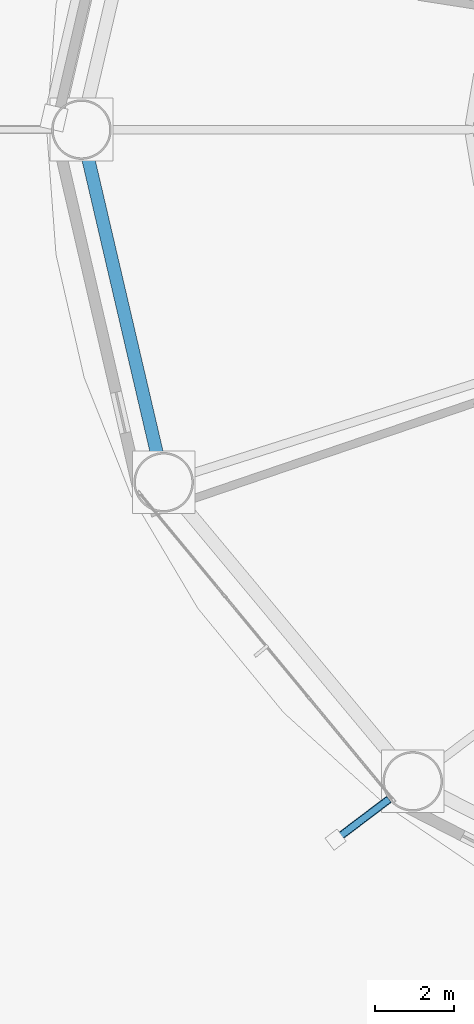
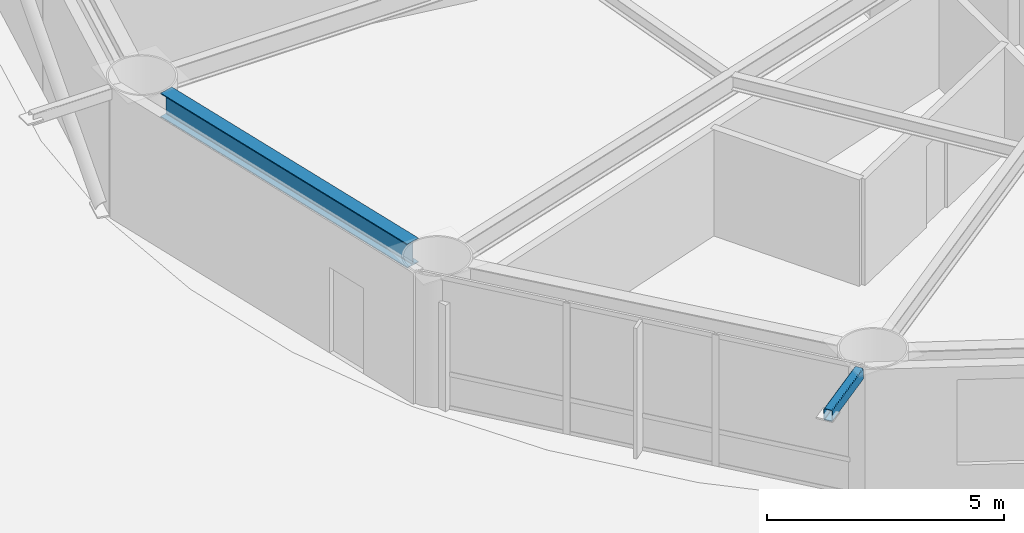
# One storey, part 3 of 30: 1 beam, 1 member.
"""IFC4 building model written with IfcOpenShell, lengths in metres."""

import ifcopenshell
import ifcopenshell.guid

model = None  # the IFC model being written
_history = None  # IfcOwnerHistory: only IFC2X3 demands one
_inside = {}  # id of a spatial element -> (the spatial element, [elements in it])
_under = {}  # id of a project, library or spatial element -> (it, [spatial elements below it])
_declared = {}  # id of a project -> (the project, [libraries it declares])
_typed = {}  # id of a type object -> (the type object, [elements of that type])
_made_of = {}  # id of a material, layer set ... -> (it, [elements and type objects made of it])


def new_model(schema):
    """Start an empty IFC model of exactly this schema.

    Asked for "IFC4X3", IfcOpenShell would pick the latest addendum, in which some entities
    have other attributes; the version numbers below select the first issue.
    IFC2X3 requires an IfcOwnerHistory on every rooted entity: one is made here for all.
    """
    global model, _history
    if schema == "IFC4X3":
        model = ifcopenshell.file(schema_version=(4, 3, 0, 0))
    else:
        model = ifcopenshell.file(schema=schema)
    _inside.clear()
    _under.clear()
    _declared.clear()
    _typed.clear()
    _made_of.clear()
    _history = None
    if model.schema == "IFC2X3":
        org = make("IfcOrganization", Name="unknown")
        user = make(
            "IfcPersonAndOrganization",
            ThePerson=make("IfcPerson", FamilyName="unknown"),
            TheOrganization=org,
        )
        app = make(
            "IfcApplication",
            ApplicationDeveloper=org,
            Version="unknown",
            ApplicationFullName="unknown",
            ApplicationIdentifier="unknown",
        )
        _history = make(
            "IfcOwnerHistory",
            OwningUser=user,
            OwningApplication=app,
            ChangeAction="ADDED",
            CreationDate=0,
        )
    return model


def make(cls, **values):
    """One entity of the class cls with the attributes given. An attribute that is None is left unset."""
    return model.create_entity(
        cls, **{name: value for name, value in values.items() if value is not None}
    )


def rooted(cls, **values):
    """An entity with a GlobalId (a new one), such as an element, a storey or a relation."""
    return make(cls, GlobalId=ifcopenshell.guid.new(), OwnerHistory=_history, **values)


def si_unit(unit_type, name, prefix=None):
    """IfcSIUnit, for example si_unit("LENGTHUNIT", "METRE", prefix="MILLI")."""
    return make("IfcSIUnit", UnitType=unit_type, Prefix=prefix, Name=name)


def assignment(units):
    """IfcUnitAssignment: the units of a project."""
    return None if units is None else make("IfcUnitAssignment", Units=units)


def point(xyz):
    """IfcCartesianPoint."""
    return None if xyz is None else make("IfcCartesianPoint", Coordinates=xyz)


def direction(xyz):
    """IfcDirection."""
    return None if xyz is None else make("IfcDirection", DirectionRatios=xyz)


def frame(location, z_axis=None, x_axis=None):
    """IfcAxis2Placement3D, a coordinate frame: its origin and axes. An axis left out is left unset."""
    return make(
        "IfcAxis2Placement3D",
        Location=point(location),
        Axis=direction(z_axis),
        RefDirection=direction(x_axis),
    )


def frame_2d(location, x_axis=None):
    """IfcAxis2Placement2D, a coordinate frame in the plane: its origin and x axis."""
    return make(
        "IfcAxis2Placement2D", Location=point(location), RefDirection=direction(x_axis)
    )


def origin():
    """The frame at (0, 0, 0) with its axes left unset."""
    return frame((0.0, 0.0, 0.0))


def origin_2d():
    """The frame at (0, 0) in the plane with its x axis left unset."""
    return frame_2d((0.0, 0.0))


def place(relative_to, where):
    """IfcLocalPlacement: puts the frame where relative to a parent placement (None: the world)."""
    return make(
        "IfcLocalPlacement", PlacementRelTo=relative_to, RelativePlacement=where
    )


def context(
    kind, dimensions, precision=None, world=None, true_north=None, identifier=None
):
    """IfcGeometricRepresentationContext, for example the 3D "Model" context."""
    return make(
        "IfcGeometricRepresentationContext",
        ContextIdentifier=identifier,
        ContextType=kind,
        CoordinateSpaceDimension=dimensions,
        Precision=precision,
        WorldCoordinateSystem=world,
        TrueNorth=true_north,
    )


def subcontext(parent, identifier, kind, view, scale=None):
    """IfcGeometricRepresentationSubContext, for example "Body" below "Model"."""
    return make(
        "IfcGeometricRepresentationSubContext",
        ContextIdentifier=identifier,
        ContextType=kind,
        ParentContext=parent,
        TargetScale=scale,
        TargetView=view,
    )


def project(units=None, contexts=None):
    """IfcProject with its units and contexts."""
    return rooted(
        "IfcProject",
        Name="project",
        RepresentationContexts=contexts,
        UnitsInContext=assignment(units),
    )


def spatial(cls, under=None, at=None, **own):
    """A site, building, storey or space (cls), placed at a placement, below another one or the project."""
    s = rooted(cls, ObjectPlacement=at, **own)
    if under is not None:
        _under.setdefault(under.id(), (under, []))[1].append(s)
    return s


def profile(cls, at=None, kind="AREA", **sizes):
    """A parametric profile (cls). Its sizes go by their IFC names, for example OverallWidth=200.0."""
    return make(cls, ProfileType=kind, Position=at, **sizes)


def hollow_rectangle(**sizes):
    """IfcRectangleHollowProfileDef."""
    return profile("IfcRectangleHollowProfileDef", **sizes)


def i_section(**sizes):
    """IfcIShapeProfileDef."""
    return profile("IfcIShapeProfileDef", **sizes)


def extrude(swept, where, along, depth):
    """IfcExtrudedAreaSolid: the profile swept, set in the frame where, extruded along a direction by depth."""
    return make(
        "IfcExtrudedAreaSolid",
        SweptArea=swept,
        Position=where,
        ExtrudedDirection=direction(along),
        Depth=depth,
    )


def shape(context_of_items, identifier, shape_type, items):
    """IfcShapeRepresentation: the items that make up one representation, for example the "Body"."""
    return make(
        "IfcShapeRepresentation",
        ContextOfItems=context_of_items,
        RepresentationIdentifier=identifier,
        RepresentationType=shape_type,
        Items=items,
    )


def material(Name=None, Category=None):
    """IfcMaterial."""
    return make("IfcMaterial", Name=Name, Category=Category)


def material_profile(
    of_material, cross_section, Name=None, Category=None, Priority=None
):
    """IfcMaterialProfile: a cross section and its material."""
    return make(
        "IfcMaterialProfile",
        Name=Name,
        Material=of_material,
        Profile=cross_section,
        Priority=Priority,
        Category=Category,
    )


def profile_set(profiles, Name=None, composite=None):
    """IfcMaterialProfileSet."""
    return make(
        "IfcMaterialProfileSet",
        Name=Name,
        MaterialProfiles=profiles,
        CompositeProfile=composite,
    )


def made_of(thing, what):
    """Note that an element or type object is made of a material, layer set ...; save() writes the relation."""
    if what is not None:
        _made_of.setdefault(what.id(), (what, []))[1].append(thing)
    return thing


def type_object(cls, material=None, **own):
    """A type object (cls), such as IfcWallType, which elements share."""
    return made_of(rooted(cls, **own), material)


def element(
    cls,
    number,
    at=None,
    inside=None,
    cuts=None,
    type_object=None,
    material=None,
    context=None,
    identifier="Body",
    shape_type=None,
    held_by="IfcProductDefinitionShape",
    body=None,
    shapes=None,
    **own,
):
    """One element of the class cls, such as IfcWall. Its Tag is "e" and its number.

    at: its placement. inside: the storey or other place that contains it. cuts: it is an
    opening in that element (IfcRelVoidsElement). A single representation is given by context,
    identifier, shape_type and body (its items); several are given by shapes. held_by: the class
    of the entity that holds the representations. save() writes the other relations.
    """
    e = rooted(cls, Tag="e%d" % number, ObjectPlacement=at, **own)
    if body is not None:
        shapes = [shape(context, identifier, shape_type, body)]
    if shapes is not None:
        e.Representation = make(held_by, Representations=shapes)
    if inside is not None:
        _inside.setdefault(inside.id(), (inside, []))[1].append(e)
    if cuts is not None:
        rooted(
            "IfcRelVoidsElement", RelatingBuildingElement=cuts, RelatedOpeningElement=e
        )
    if type_object is not None:
        _typed.setdefault(type_object.id(), (type_object, []))[1].append(e)
    return made_of(e, material)


def aggregate(whole, parts):
    """IfcRelAggregates: a whole, such as a stair, and the parts it consists of."""
    return rooted("IfcRelAggregates", RelatingObject=whole, RelatedObjects=parts)


def save(model, path):
    """Write the relations noted so far, then the file.

    IfcRelAggregates (storeys below a building ...), IfcRelContainedInSpatialStructure (elements
    in a storey), IfcRelDefinesByType, IfcRelAssociatesMaterial and IfcRelDeclares: one each for
    every whole, place, type object, material and project.
    """
    for whole, parts in _under.values():
        aggregate(whole, parts)
    for where, things in _inside.values():
        rooted(
            "IfcRelContainedInSpatialStructure",
            RelatedElements=things,
            RelatingStructure=where,
        )
    for kind, things in _typed.values():
        rooted("IfcRelDefinesByType", RelatedObjects=things, RelatingType=kind)
    for what, things in _made_of.values():
        rooted("IfcRelAssociatesMaterial", RelatedObjects=things, RelatingMaterial=what)
    for by, libraries in _declared.values():
        rooted("IfcRelDeclares", RelatingContext=by, RelatedDefinitions=libraries)
    model.write(path)


model = new_model("IFC4")

# Units and contexts
model_context = context("Model", 3, precision=1e-05, world=origin(), true_north=direction((0.0, 1.0)))
body_context = subcontext(model_context, "Body", "Model", "MODEL_VIEW")
ifc_project = project(units=[si_unit("LENGTHUNIT", "METRE"), si_unit("AREAUNIT", "SQUARE_METRE"), si_unit("VOLUMEUNIT", "CUBIC_METRE"), si_unit("PLANEANGLEUNIT", "RADIAN"), si_unit("MASSUNIT", "GRAM", prefix="KILO")], contexts=[model_context])

# Site, building, storey
site_placement = place(None, origin())
site = spatial("IfcSite", under=ifc_project, at=site_placement, CompositionType="ELEMENT")
building_placement = place(site_placement, origin())
building = spatial("IfcBuilding", under=site, at=building_placement, Name="Sarneth Arch Tower", CompositionType="ELEMENT")
storey_placement = place(building_placement, frame((0.0, 0.0, 28.199951171875)))
storey = spatial("IfcBuildingStorey", under=building, at=storey_placement, Name="L05", CompositionType="ELEMENT", Elevation=28.199951171875)

# Beam
ifc_material_1 = material(Name="Steel S355", Category="steel")
ifc_material_profile_1 = material_profile(ifc_material_1, i_section(OverallWidth=0.326904296875, OverallDepth=0.6220703125, WebThickness=0.015380859375, FlangeThickness=0.0244140625, FilletRadius=0.01904296875, at=origin_2d()), Name="W610x195")
ifc_profile_set_1 = profile_set([ifc_material_profile_1], Name="Steel S355")
beam_type = type_object("IfcBeamType", Name="BM-SPAN-610A", PredefinedType="SPANDREL", material=ifc_profile_set_1)
beam_placement = place(storey_placement, frame((18.135498046875, 41.26953125, 3.069091796875), z_axis=(0.226982354826, -0.973898870827, 0.0), x_axis=(0.973898870827, 0.226982354826, 0.0)))
element("IfcBeam", 1, at=beam_placement, inside=storey, type_object=beam_type, Name="L05 Perimeter spandrel beam 09", PredefinedType="SPANDREL", context=body_context, shape_type="SweptSolid", body=[
    extrude(i_section(OverallWidth=0.326904296875, OverallDepth=0.6220703125, WebThickness=0.015380859375, FlangeThickness=0.0244140625, FilletRadius=0.01904296875, at=origin_2d()), origin(), (0.0, 0.0, 1.0), 7.6162109375),
])

# Member
ifc_material_2 = material(Name="Steel S355", Category="steel")
ifc_material_profile_2 = material_profile(ifc_material_2, hollow_rectangle(XDim=0.199951171875, YDim=0.300048828125, WallThickness=0.012451171875, InnerFilletRadius=0.018798828125, OuterFilletRadius=0.03125, at=origin_2d()), Name="RHS300x200x12.5")
ifc_profile_set_2 = profile_set([ifc_material_profile_2], Name="Steel S355")
member_type = type_object("IfcMemberType", Name="MEM-CANT-STRUT", PredefinedType="STRUT", material=ifc_profile_set_2)
member_placement = place(storey_placement, frame((25.705078125, 25.142822265625, 3.219970703125), z_axis=(-0.797628723045, -0.603148754599, 0.0), x_axis=(0.603148754599, -0.797628723045, 0.0)))
element("IfcMember", 2, at=member_placement, inside=storey, type_object=member_type, Name="L05 Balcony cantilever bracket 11", PredefinedType="STRUT", context=body_context, shape_type="SweptSolid", body=[
    extrude(hollow_rectangle(XDim=0.199951171875, YDim=0.300048828125, WallThickness=0.012451171875, InnerFilletRadius=0.018798828125, OuterFilletRadius=0.03125, at=origin_2d()), origin(), (0.0, 0.0, 1.0), 1.6845703125),
])

save(model, "model.ifc")
